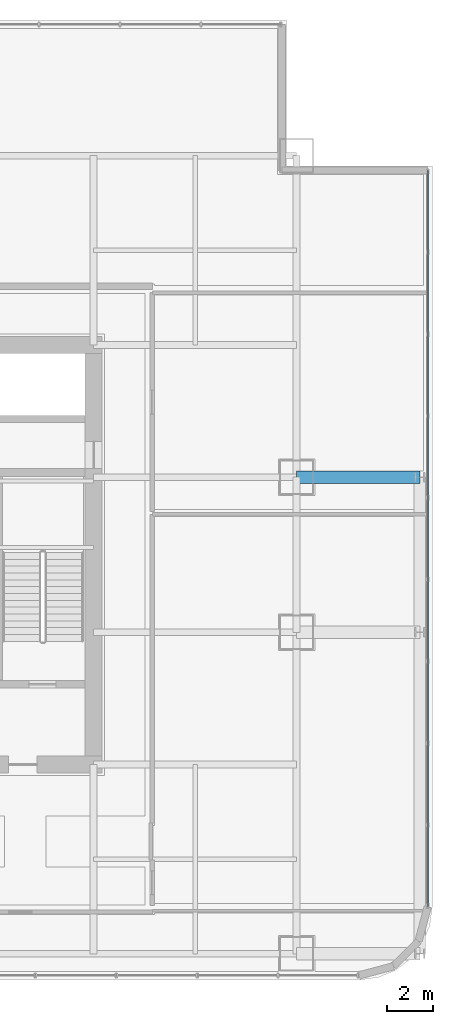
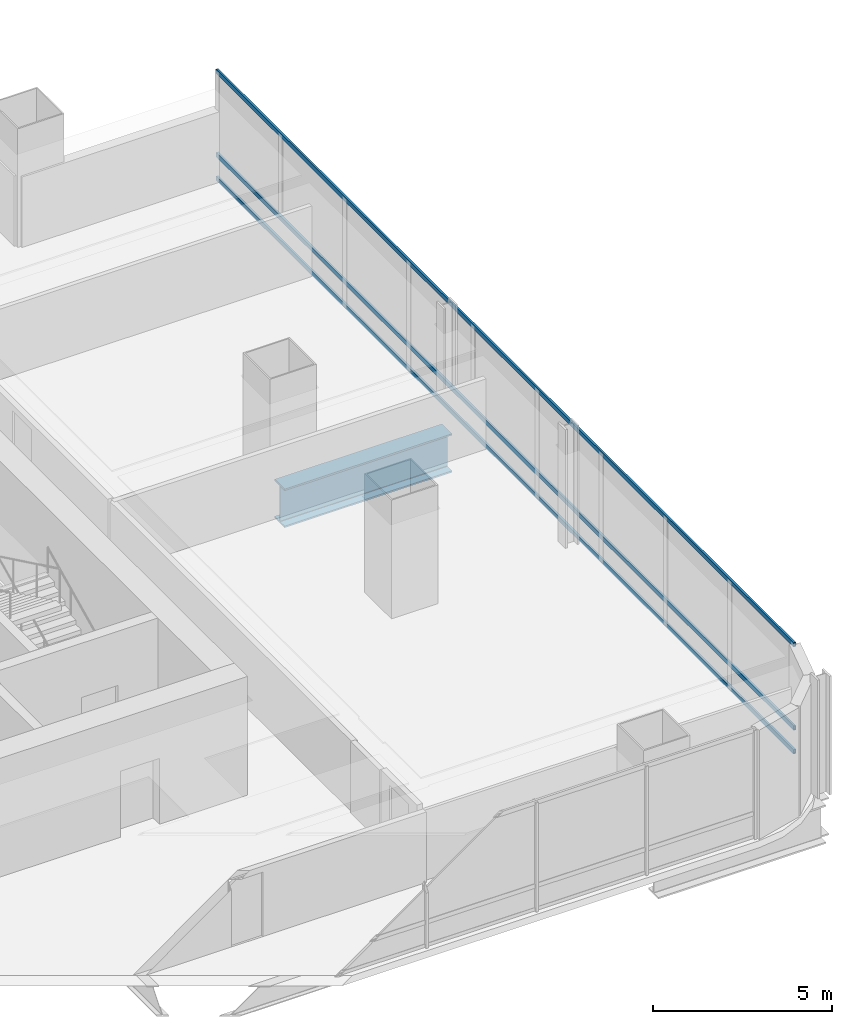
# One storey, part 17 of 33: 3 members, 1 beam, 1 element without a shape of its own.
"""IFC4 building model written with IfcOpenShell, lengths in metres."""

from ifc_helpers import new_model, si_unit, direction, frame, origin, origin_2d, place, context, subcontext, project, spatial, hollow_rectangle, i_section, extrude, material, material_profile, profile_set, type_object, element, aggregate, save


model = new_model("IFC4")

# Units and contexts
model_context = context("Model", 3, precision=1e-05, world=origin(), true_north=direction((0.0, 1.0)))
body_context = subcontext(model_context, "Body", "Model", "MODEL_VIEW")
ifc_project = project(units=[si_unit("LENGTHUNIT", "METRE"), si_unit("AREAUNIT", "SQUARE_METRE"), si_unit("VOLUMEUNIT", "CUBIC_METRE"), si_unit("PLANEANGLEUNIT", "RADIAN"), si_unit("MASSUNIT", "GRAM", prefix="KILO")], contexts=[model_context])

# Site, building, storey
site_placement = place(None, origin())
site = spatial("IfcSite", under=ifc_project, at=site_placement, CompositionType="ELEMENT")
building_placement = place(site_placement, origin())
building = spatial("IfcBuilding", under=site, at=building_placement, Name="Punatoya Terracotta Tower", CompositionType="ELEMENT")
storey_placement = place(building_placement, frame((0.0, 0.0, 121.35009765625)))
storey = spatial("IfcBuildingStorey", under=building, at=storey_placement, Name="L28", CompositionType="ELEMENT", Elevation=121.35009765625)

# Beam
ifc_material_1 = material(Name="Steel S460", Category="steel")
ifc_material_profile_1 = material_profile(ifc_material_1, i_section(OverallWidth=0.56005859375, OverallDepth=1.320068359375, WebThickness=0.035888671875, FlangeThickness=0.054931640625, FilletRadius=0.01806640625, at=origin_2d()))
ifc_profile_set_1 = profile_set([ifc_material_profile_1], Name="Steel S460")
beam_type = type_object("IfcBeamType", Name="BM-TG-BLK", PredefinedType="BEAM", material=ifc_profile_set_1)
beam_placement = place(storey_placement, frame((19.10009765625, 3.39990234375, -0.900146484375), z_axis=(1.0, 0.0, 0.0), x_axis=(0.0, 1.0, 0.0)))
element("IfcBeam", 1, at=beam_placement, inside=storey, type_object=beam_type, Name="BM-L28-CANT-E3", PredefinedType="BEAM", context=body_context, shape_type="SweptSolid", body=[
    extrude(i_section(OverallWidth=0.56005859375, OverallDepth=1.320068359375, WebThickness=0.035888671875, FlangeThickness=0.054931640625, FilletRadius=0.01806640625, at=origin_2d()), origin(), (0.0, 0.0, 1.0), 5.39990234375),
])

# Curtain wall, members
ifc_material_2 = material(Name="Aluminium 6063-T6 + Double Low-E Glass", Category="aluminium")
curtain_wall_type = type_object("IfcCurtainWallType", Name="CW-M1", PredefinedType="NOTDEFINED", material=ifc_material_2)
curtain_wall_placement = place(storey_placement, origin())
curtain_wall = element("IfcCurtainWall", 2, at=curtain_wall_placement, inside=storey, type_object=curtain_wall_type, Name="L28 Curtain Wall CW-L28-E05-1", PredefinedType="NOTDEFINED")
ifc_material_3 = material(Name="Aluminium 6063-T6", Category="aluminium")
ifc_material_profile_2 = material_profile(ifc_material_3, hollow_rectangle(XDim=0.068115234375, YDim=0.14990234375, WallThickness=0.00390625, at=origin_2d()))
ifc_profile_set_2 = profile_set([ifc_material_profile_2], Name="Aluminium 6063-T6")
member_type = type_object("IfcMemberType", Name="CW-TRN-TYP", PredefinedType="USERDEFINED", material=ifc_profile_set_2)
member_1_placement = place(storey_placement, frame((24.85009765625, -15.43701171875, 0.039794921875), z_axis=(0.0, 1.0, 0.0), x_axis=(-1.0, 0.0, 0.0)))
member_1 = element("IfcMember", 3, at=member_1_placement, type_object=member_type, Name="CW-L28-E05-1 Transom 1", ObjectType="TRANSOM", PredefinedType="USERDEFINED", context=body_context, shape_type="SweptSolid", body=[
    extrude(hollow_rectangle(XDim=0.068115234375, YDim=0.14990234375, WallThickness=0.00390625, at=origin_2d()), origin(), (0.0, 0.0, 1.0), 32.287109375),
])
member_2_placement = place(storey_placement, frame((24.85009765625, -15.43701171875, 0.849853515625), z_axis=(0.0, 1.0, 0.0), x_axis=(-1.0, 0.0, 0.0)))
member_2 = element("IfcMember", 4, at=member_2_placement, type_object=member_type, Name="CW-L28-E05-1 Transom 2", ObjectType="TRANSOM", PredefinedType="USERDEFINED", context=body_context, shape_type="SweptSolid", body=[
    extrude(hollow_rectangle(XDim=0.068115234375, YDim=0.14990234375, WallThickness=0.00390625, at=origin_2d()), origin(), (0.0, 0.0, 1.0), 32.287109375),
])
member_3_placement = place(storey_placement, frame((24.85009765625, -15.43701171875, 3.68994140625), z_axis=(0.0, 1.0, 0.0), x_axis=(-1.0, 0.0, 0.0)))
member_3 = element("IfcMember", 5, at=member_3_placement, type_object=member_type, Name="CW-L28-E05-1 Transom 3", ObjectType="TRANSOM", PredefinedType="USERDEFINED", context=body_context, shape_type="SweptSolid", body=[
    extrude(hollow_rectangle(XDim=0.068115234375, YDim=0.14990234375, WallThickness=0.00390625, at=origin_2d()), origin(), (0.0, 0.0, 1.0), 32.287109375),
])
aggregate(curtain_wall, [member_1, member_2, member_3])

save(model, "model.ifc")
